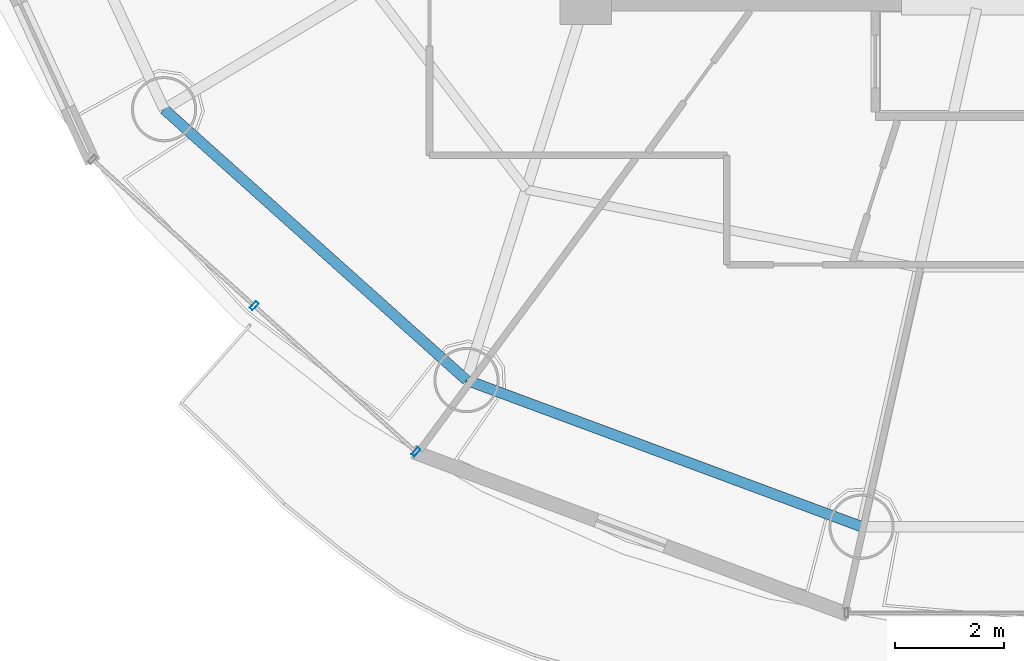
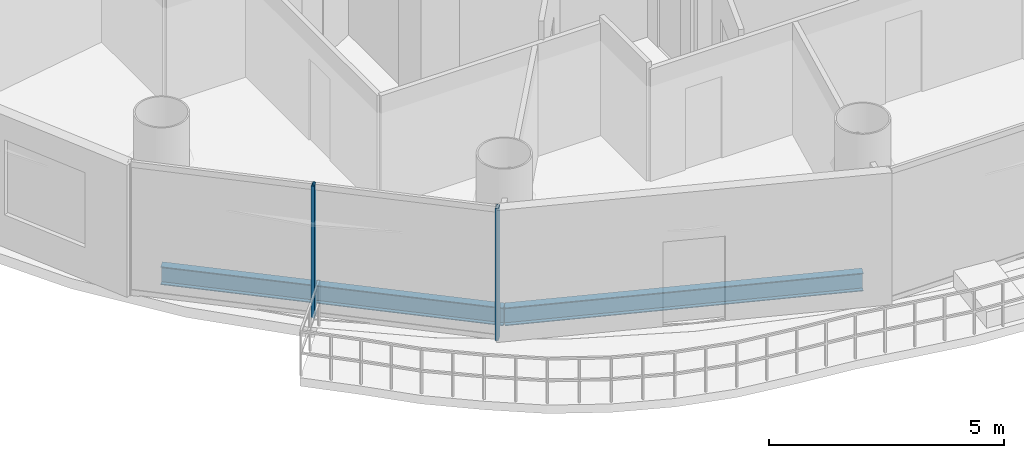
# One storey, part 2 of 27: 2 beams, 2 members, 1 element without a shape of its own.
"""IFC4 building model written with IfcOpenShell, lengths in metres."""

from ifc_helpers import new_model, si_unit, direction, frame, origin, origin_2d, place, context, subcontext, project, spatial, hollow_rectangle, i_section, extrude, source, transform, mapped, material, material_profile, profile_set, type_object, element, aggregate, save


model = new_model("IFC4")

# Units and contexts
model_context = context("Model", 3, precision=1e-05, world=origin(), true_north=direction((-0.2419218956, 0.970295726276)))
body_context = subcontext(model_context, "Body", "Model", "MODEL_VIEW")
ifc_project = project(units=[si_unit("LENGTHUNIT", "METRE"), si_unit("AREAUNIT", "SQUARE_METRE"), si_unit("VOLUMEUNIT", "CUBIC_METRE"), si_unit("PLANEANGLEUNIT", "RADIAN"), si_unit("MASSUNIT", "GRAM", prefix="KILO")], contexts=[model_context])

# Site, building, storey
site_placement = place(None, origin())
site = spatial("IfcSite", under=ifc_project, at=site_placement, CompositionType="ELEMENT")
building_placement = place(site_placement, origin())
building = spatial("IfcBuilding", under=site, at=building_placement, Name="Cobrevalo Terracotta Tower", CompositionType="ELEMENT")
storey_placement = place(building_placement, frame((0.0, 0.0, 191.199951171875)))
storey = spatial("IfcBuildingStorey", under=building, at=storey_placement, Name="L50", CompositionType="ELEMENT", Elevation=191.199951171875)

# Beams
ifc_material_1 = material(Name="Steel S355", Category="steel")
ifc_material_profile_1 = material_profile(ifc_material_1, i_section(OverallWidth=0.194091796875, OverallDepth=0.468994140625, WebThickness=0.011474609375, FlangeThickness=0.0205078125, at=origin_2d()), Name="W 460x106")
ifc_profile_set_1 = profile_set([ifc_material_profile_1], Name="Steel S355")
beam_type = type_object("IfcBeamType", Name="Structural Spandrel W 460x106 (Steel S355)", PredefinedType="SPANDREL", material=ifc_profile_set_1)
beam_1_placement = place(storey_placement, frame((21.245849609375, 16.77197265625, -0.49951171875), z_axis=(0.744851930997, -0.667229796165, 0.0), x_axis=(0.667229796165, 0.744851930997, 0.0)))
element("IfcBeam", 1, at=beam_1_placement, inside=storey, type_object=beam_type, Name="L50 perimeter ring spandrel 10", PredefinedType="SPANDREL", context=body_context, shape_type="SweptSolid", body=[
    extrude(i_section(OverallWidth=0.194091796875, OverallDepth=0.468994140625, WebThickness=0.011474609375, FlangeThickness=0.0205078125, at=origin_2d()), origin(), (0.0, 0.0, 1.0), 7.463623046875),
])
beam_2_placement = place(storey_placement, frame((26.80517578125, 11.7919921875, -0.49951171875), z_axis=(0.937545996665, -0.347861328892, 0.0), x_axis=(0.347861328892, 0.937545996665, 0.0)))
element("IfcBeam", 2, at=beam_2_placement, inside=storey, type_object=beam_type, Name="L50 perimeter ring spandrel 11", PredefinedType="SPANDREL", context=body_context, shape_type="SweptSolid", body=[
    extrude(i_section(OverallWidth=0.194091796875, OverallDepth=0.468994140625, WebThickness=0.011474609375, FlangeThickness=0.0205078125, at=origin_2d()), origin(), (0.0, 0.0, 1.0), 7.74755859375),
])

# Curtain wall, members
ifc_material_2 = material(Name="Anodized aluminium", Category="aluminium")
curtain_wall_type = type_object("IfcCurtainWallType", Name="Mid-tower high-wind unitised curtain wall CW-U2", PredefinedType="NOTDEFINED", material=ifc_material_2)
curtain_wall_placement = place(storey_placement, origin())
curtain_wall = element("IfcCurtainWall", 3, at=curtain_wall_placement, inside=storey, type_object=curtain_wall_type, Name="L50 curtain wall CW-L50-S10", PredefinedType="NOTDEFINED")
ifc_material_profile_2 = material_profile(ifc_material_2, hollow_rectangle(XDim=0.070068359375, YDim=0.169921875, WallThickness=0.00439453125, at=origin_2d()), Name="CWM 70x170")
ifc_profile_set_2 = profile_set([ifc_material_profile_2], Name="Anodized aluminium")
member_type = type_object("IfcMemberType", Name="Upper tower unitised mullion 70x170", PredefinedType="MULLION", material=ifc_profile_set_2)
shared_shape = source(origin(), body_context, "Body", "SweptSolid", [
    extrude(hollow_rectangle(XDim=0.070068359375, YDim=0.169921875, WallThickness=0.00439453125, at=origin_2d()), origin(), (0.0, 0.0, 1.0), 3.43505859375),
])
member_1_placement = place(storey_placement, frame((22.902099609375, 13.158447265625, 0.0), z_axis=(0.0, 0.0, 1.0), x_axis=(0.741987542015, -0.670413668935, 0.0)))
member_1 = element("IfcMember", 4, at=member_1_placement, type_object=member_type, Name="CW-L50-S10 vertical mullion 02", PredefinedType="MULLION", context=body_context, shape_type="MappedRepresentation", body=[
    mapped(shared_shape, transform((0.0, 0.0, 0.0), scale=1.0)),
])
member_2_placement = place(storey_placement, frame((25.87548828125, 10.471923828125, 0.0), z_axis=(0.0, 0.0, 1.0), x_axis=(0.741987542015, -0.670413668935, 0.0)))
member_2 = element("IfcMember", 5, at=member_2_placement, type_object=member_type, Name="CW-L50-S10 vertical mullion 03", PredefinedType="MULLION", context=body_context, shape_type="MappedRepresentation", body=[
    mapped(shared_shape, transform((0.0, 0.0, 0.0), scale=1.0)),
])
aggregate(curtain_wall, [member_1, member_2])

save(model, "model.ifc")
